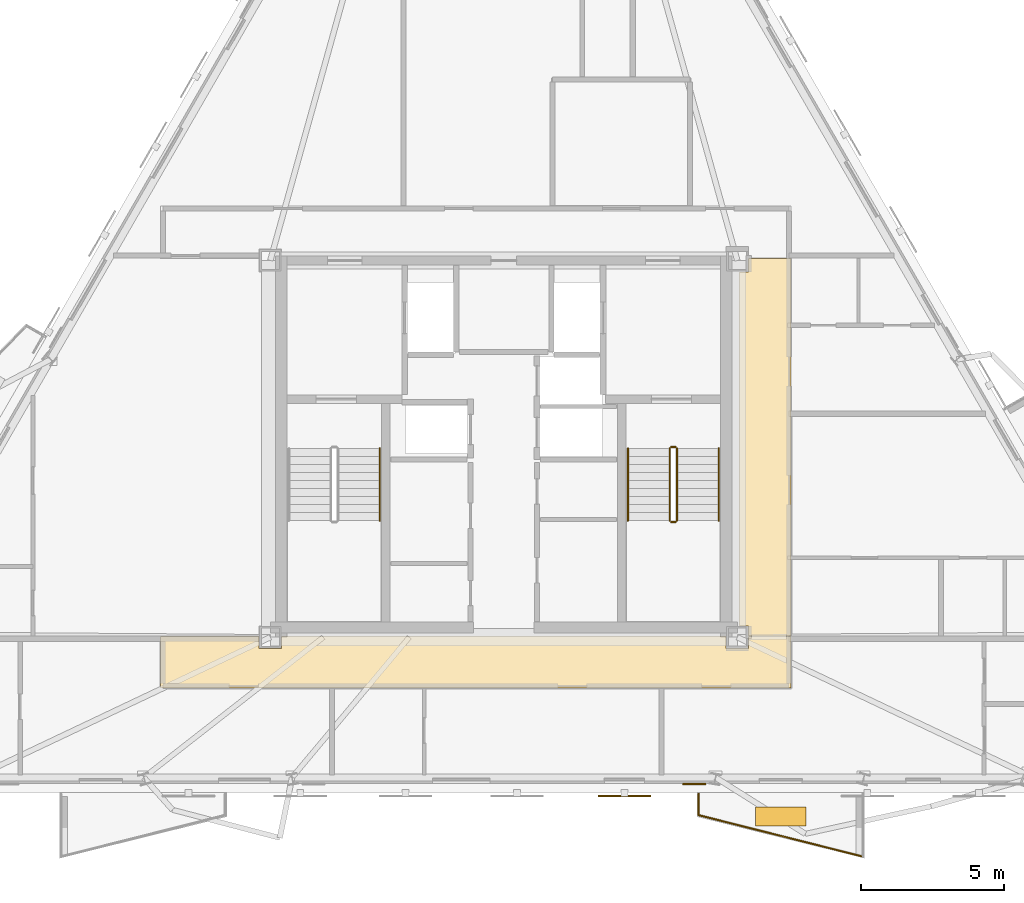
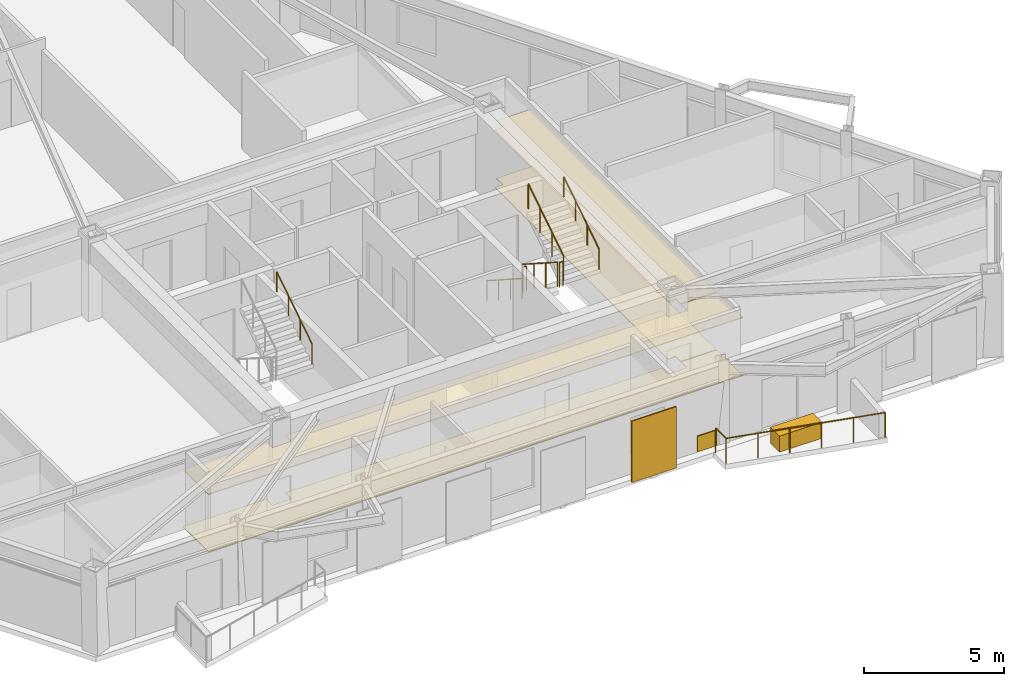
# One storey, part 8 of 9: 9 railings, 6 coverings, 1 shading device.
"""IFC4 building model written with IfcOpenShell, lengths in metres."""

from ifc_helpers import new_model, si_unit, direction, frame, origin, origin_2d, place, context, subcontext, project, spatial, polyline, rectangle, circle, outline, extrude, material, layer, layer_set, type_object, element, save


model = new_model("IFC4")

# Units and contexts
model_context = context("Model", 3, precision=1e-05, world=origin(), true_north=direction((0.0, 1.0)))
body_context = subcontext(model_context, "Body", "Model", "MODEL_VIEW")
ifc_project = project(units=[si_unit("LENGTHUNIT", "METRE"), si_unit("AREAUNIT", "SQUARE_METRE"), si_unit("VOLUMEUNIT", "CUBIC_METRE"), si_unit("PLANEANGLEUNIT", "RADIAN"), si_unit("MASSUNIT", "GRAM", prefix="KILO")], contexts=[model_context])

# Site, building, storey
site_placement = place(None, origin())
site = spatial("IfcSite", under=ifc_project, at=site_placement, CompositionType="ELEMENT")
building_placement = place(site_placement, origin())
building = spatial("IfcBuilding", under=site, at=building_placement, Name="Oramaril Tower", CompositionType="ELEMENT")
storey_placement = place(building_placement, frame((0.0, 0.0, 237.89990234375)))
storey = spatial("IfcBuildingStorey", under=building, at=storey_placement, Name="L63", CompositionType="ELEMENT", Elevation=237.89990234375)

# Coverings
ifc_material_1 = material(Name="Mineral Fibre Acoustic Ceiling")
ifc_layer_1 = layer(ifc_material_1, 0.02001953125)
ifc_layer_set_1 = layer_set([ifc_layer_1], Name="CVT-CEIL")
covering_type_1 = type_object("IfcCoveringType", Name="CVT-CEIL", PredefinedType="CEILING", material=ifc_layer_set_1)
covering_1_placement = place(storey_placement, frame((0.0, 0.0, 2.51220703125)))
element("IfcCovering", 1, at=covering_1_placement, inside=storey, type_object=covering_type_1, Name="L63 Acoustic Suspended Ceiling 1", PredefinedType="CEILING", context=body_context, shape_type="SweptSolid", body=[
    extrude(outline(polyline([(28.955078125, 10.60498046875), (29.7451171875, 10.60498046875), (29.7451171875, 11.030029296875), (45.2548828125, 11.030029296875), (45.2548828125, 10.60498046875), (46.044921875, 10.60498046875), (46.044921875, 11.030029296875), (47.530029296875, 11.030029296875), (47.530029296875, 9.219970703125), (25.52001953125, 9.219970703125), (25.52001953125, 11.030029296875), (28.955078125, 11.030029296875), (28.955078125, 10.60498046875)])), origin(), (0.0, 0.0, 1.0), 0.019775390625),
])
covering_2_placement = place(storey_placement, frame((0.0, 0.0, 2.51220703125)))
element("IfcCovering", 2, at=covering_2_placement, inside=storey, type_object=covering_type_1, Name="L63 Acoustic Suspended Ceiling 3", PredefinedType="CEILING", context=body_context, shape_type="SweptSolid", body=[
    extrude(outline(polyline([(47.530029296875, 11.050048828125), (46.044921875, 11.050048828125), (46.044921875, 11.39501953125), (45.719970703125, 11.39501953125), (45.719970703125, 23.7548828125), (46.044921875, 23.7548828125), (46.044921875, 24.219970703125), (47.530029296875, 24.219970703125), (47.530029296875, 11.050048828125)])), origin(), (0.0, 0.0, 1.0), 0.019775390625),
])
ifc_material_2 = material(Name="Warm Cream Limestone", Category="masonry")
ifc_layer_2 = layer(ifc_material_2, 0.050048828125)
ifc_layer_set_2 = layer_set([ifc_layer_2], Name="CVT-CLD")
covering_type_2 = type_object("IfcCoveringType", Name="CVT-CLD", PredefinedType="CLADDING", material=ifc_layer_set_2)
covering_3_placement = place(storey_placement, frame((44.14208984375, 5.874267578125, 0.0400390625), z_axis=(0.0, 0.0, 1.0), x_axis=(1.0, 0.0, 0.0)))
element("IfcCovering", 3, at=covering_3_placement, inside=storey, type_object=covering_type_2, Name="L63 Warm Cream Limestone Spandrel Cladding", PredefinedType="CLADDING", context=body_context, shape_type="SweptSolid", body=[
    extrude(rectangle(XDim=0.800048828125, YDim=0.050048828125, at=origin_2d()), origin(), (0.0, 0.0, 1.0), 0.679931640625),
])
covering_4_placement = place(storey_placement, frame((47.16552734375, 4.74560546875, 0.0), z_axis=(0.0, 0.0, 1.0), x_axis=(1.0, 0.0, 0.0)))
element("IfcCovering", 4, at=covering_4_placement, inside=storey, type_object=covering_type_2, Name="L63 Structural Tree Planter Box L63-BAL-S2", PredefinedType="CLADDING", context=body_context, shape_type="SweptSolid", body=[
    extrude(rectangle(XDim=1.75, YDim=0.64990234375, at=origin_2d()), origin(), (0.0, 0.0, 1.0), 0.699951171875),
])
ifc_material_3 = material(Name="Honed Quartzite Stone Flooring", Category="masonry")
ifc_layer_3 = layer(ifc_material_3, 0.02490234375)
ifc_layer_set_3 = layer_set([ifc_layer_3], Name="CVT-FLR")
covering_type_3 = type_object("IfcCoveringType", Name="CVT-FLR", PredefinedType="FLOORING", material=ifc_layer_set_3)
covering_5_placement = place(storey_placement, origin())
element("IfcCovering", 5, at=covering_5_placement, inside=storey, type_object=covering_type_3, Name="L63 Honed Stone Floor Finish 1", PredefinedType="FLOORING", context=body_context, shape_type="SweptSolid", body=[
    extrude(outline(polyline([(28.955078125, 10.60498046875), (29.7451171875, 10.60498046875), (29.7451171875, 11.030029296875), (45.2548828125, 11.030029296875), (45.2548828125, 10.60498046875), (46.044921875, 10.60498046875), (46.044921875, 11.030029296875), (47.530029296875, 11.030029296875), (47.530029296875, 9.219970703125), (25.52001953125, 9.219970703125), (25.52001953125, 11.030029296875), (28.955078125, 11.030029296875), (28.955078125, 10.60498046875)])), origin(), (0.0, 0.0, 1.0), 0.025146484375),
])
covering_6_placement = place(storey_placement, origin())
element("IfcCovering", 6, at=covering_6_placement, inside=storey, type_object=covering_type_3, Name="L63 Honed Stone Floor Finish 3", PredefinedType="FLOORING", context=body_context, shape_type="SweptSolid", body=[
    extrude(outline(polyline([(47.530029296875, 11.050048828125), (46.044921875, 11.050048828125), (46.044921875, 11.39501953125), (45.719970703125, 11.39501953125), (45.719970703125, 23.7548828125), (46.044921875, 23.7548828125), (46.044921875, 24.219970703125), (47.530029296875, 24.219970703125), (47.530029296875, 11.050048828125)])), origin(), (0.0, 0.0, 1.0), 0.025146484375),
])

# Railings
ifc_material_4 = material(Name="Stainless Steel 316L", Category="steel")
railing_type_1 = type_object("IfcRailingType", Name="RLT-GRD", PredefinedType="GUARDRAIL", material=ifc_material_4)
railing_1_placement = place(storey_placement, frame((50.030517578125, 3.34228515625, 0.0)))
element("IfcRailing", 7, at=railing_1_placement, inside=storey, type_object=railing_type_1, Name="L63 Balcony Guardrail L63-BAL-S2.2", PredefinedType="GUARDRAIL", context=body_context, shape_type="SweptSolid", body=[
    extrude(circle(Radius=0.02392578125, at=origin_2d()), frame((0.0, 0.0, 1.076171875), z_axis=(-0.969443611257, 0.245314256807, 0.0), x_axis=(-0.245314256807, -0.969443611257, 0.0)), (0.0, 0.0, 1.0), 5.91064453125),
    extrude(circle(Radius=0.02099609375, at=origin_2d()), origin(), (0.0, 0.0, 1.0), 1.052001953125),
    extrude(circle(Radius=0.02099609375, at=origin_2d()), frame((-1.14599609375, 0.2900390625, 0.0)), (0.0, 0.0, 1.0), 1.052001953125),
    extrude(circle(Radius=0.02099609375, at=origin_2d()), frame((-2.2919921875, 0.580078125, 0.0)), (0.0, 0.0, 1.0), 1.052001953125),
    extrude(circle(Radius=0.02099609375, at=origin_2d()), frame((-3.43798828125, 0.869873046875, 0.0)), (0.0, 0.0, 1.0), 1.052001953125),
    extrude(circle(Radius=0.02099609375, at=origin_2d()), frame((-4.583984375, 1.159912109375, 0.0)), (0.0, 0.0, 1.0), 1.052001953125),
    extrude(circle(Radius=0.02099609375, at=origin_2d()), frame((-5.72998046875, 1.449951171875, 0.0)), (0.0, 0.0, 1.0), 1.052001953125),
])
railing_2_placement = place(storey_placement, frame((44.300537109375, 4.792236328125, 0.0)))
element("IfcRailing", 8, at=railing_2_placement, inside=storey, type_object=railing_type_1, Name="L63 Balcony Guardrail L63-BAL-S2.3", PredefinedType="GUARDRAIL", context=body_context, shape_type="SweptSolid", body=[
    extrude(circle(Radius=0.02392578125, at=origin_2d()), frame((0.0, 0.0, 1.076171875), z_axis=(0.0, 1.0, 0.0), x_axis=(-1.0, 0.0, 0.0)), (0.0, 0.0, 1.0), 0.741943359375),
    extrude(circle(Radius=0.02099609375, at=origin_2d()), origin(), (0.0, 0.0, 1.0), 1.052001953125),
    extrude(circle(Radius=0.02099609375, at=origin_2d()), frame((0.0, 0.741943359375, 0.0)), (0.0, 0.0, 1.0), 1.052001953125),
])
railing_3_placement = place(storey_placement, frame((43.2900390625, 17.590087890625, 0.18017578125)))
element("IfcRailing", 9, at=railing_3_placement, inside=storey, type_object=railing_type_1, Name="L63 ST-2 stair guard 1", PredefinedType="GUARDRAIL", context=body_context, shape_type="SweptSolid", body=[
    extrude(circle(Radius=0.02392578125, at=origin_2d()), frame((0.0, 0.0, 1.076171875), z_axis=(0.0, -0.841199657755, 0.540724639528), x_axis=(1.0, 0.0, 0.0)), (0.0, 0.0, 1.0), 2.995849609375),
    extrude(circle(Radius=0.02099609375, at=origin_2d()), origin(), (0.0, 0.0, 1.0), 1.052001953125),
    extrude(circle(Radius=0.02099609375, at=origin_2d()), frame((0.0, -0.840087890625, 0.5400390625)), (0.0, 0.0, 1.0), 1.052001953125),
    extrude(circle(Radius=0.02099609375, at=origin_2d()), frame((0.0, -1.679931640625, 1.079833984375)), (0.0, 0.0, 1.0), 1.052001953125),
    extrude(circle(Radius=0.02099609375, at=origin_2d()), frame((0.0, -2.52001953125, 1.619873046875)), (0.0, 0.0, 1.0), 1.052001953125),
])
railing_4_placement = place(storey_placement, frame((43.340087890625, 15.02001953125, 1.800048828125)))
element("IfcRailing", 10, at=railing_4_placement, inside=storey, type_object=railing_type_1, Name="L63 ST-2 stair guard 2", PredefinedType="GUARDRAIL", context=body_context, shape_type="SweptSolid", body=[
    extrude(circle(Radius=0.02392578125, at=origin_2d()), frame((0.0, 0.0, 1.076171875), z_axis=(1.0, 0.0, 0.0), x_axis=(0.0, 1.0, 0.0)), (0.0, 0.0, 1.0), 0.14990234375),
    extrude(circle(Radius=0.02099609375, at=origin_2d()), origin(), (0.0, 0.0, 1.0), 1.052001953125),
    extrude(circle(Radius=0.02099609375, at=origin_2d()), frame((0.14990234375, 0.0, 0.0)), (0.0, 0.0, 1.0), 1.052001953125),
])
railing_5_placement = place(storey_placement, frame((43.5400390625, 15.070068359375, 1.97998046875)))
element("IfcRailing", 11, at=railing_5_placement, inside=storey, type_object=railing_type_1, Name="L63 ST-2 stair guard 3", PredefinedType="GUARDRAIL", context=body_context, shape_type="SweptSolid", body=[
    extrude(circle(Radius=0.02392578125, at=origin_2d()), frame((0.0, 0.0, 1.076171875), z_axis=(0.0, 0.841162588446, 0.540782303519), x_axis=(-1.0, 0.0, 0.0)), (0.0, 0.0, 1.0), 2.995849609375),
    extrude(circle(Radius=0.02099609375, at=origin_2d()), origin(), (0.0, 0.0, 1.0), 1.052001953125),
    extrude(circle(Radius=0.02099609375, at=origin_2d()), frame((0.0, 0.840087890625, 0.5400390625)), (0.0, 0.0, 1.0), 1.052001953125),
    extrude(circle(Radius=0.02099609375, at=origin_2d()), frame((0.0, 1.679931640625, 1.080078125)), (0.0, 0.0, 1.0), 1.052001953125),
    extrude(circle(Radius=0.02099609375, at=origin_2d()), frame((0.0, 2.52001953125, 1.6201171875)), (0.0, 0.0, 1.0), 1.052001953125),
])
railing_6_placement = place(storey_placement, frame((43.340087890625, 17.639892578125, 0.0)))
element("IfcRailing", 12, at=railing_6_placement, inside=storey, type_object=railing_type_1, Name="L63 ST-2 stair guard 4", PredefinedType="GUARDRAIL", context=body_context, shape_type="SweptSolid", body=[
    extrude(circle(Radius=0.02392578125, at=origin_2d()), frame((0.0, 0.0, 1.076171875), z_axis=(1.0, 0.0, 0.0), x_axis=(0.0, 1.0, 0.0)), (0.0, 0.0, 1.0), 0.14990234375),
    extrude(circle(Radius=0.02099609375, at=origin_2d()), origin(), (0.0, 0.0, 1.0), 1.052001953125),
    extrude(circle(Radius=0.02099609375, at=origin_2d()), frame((0.14990234375, 0.0, 0.0)), (0.0, 0.0, 1.0), 1.052001953125),
])
ifc_material_5 = material(Name="Stainless Steel 316L", Category="steel")
railing_type_2 = type_object("IfcRailingType", Name="RLT-HND", PredefinedType="HANDRAIL", material=ifc_material_5)
railing_7_placement = place(storey_placement, frame((33.169921875, 15.070068359375, 1.97998046875)))
element("IfcRailing", 13, at=railing_7_placement, inside=storey, type_object=railing_type_2, Name="L63 ST-1 stair handrail 2", PredefinedType="HANDRAIL", context=body_context, shape_type="SweptSolid", body=[
    extrude(circle(Radius=0.02392578125, at=origin_2d()), frame((0.0, 0.0, 0.8759765625), z_axis=(0.0, 0.841162588446, 0.540782303519), x_axis=(-1.0, 0.0, 0.0)), (0.0, 0.0, 1.0), 2.995849609375),
    extrude(circle(Radius=0.02099609375, at=origin_2d()), origin(), (0.0, 0.0, 1.0), 0.851806640625),
    extrude(circle(Radius=0.02099609375, at=origin_2d()), frame((0.0, 0.840087890625, 0.5400390625)), (0.0, 0.0, 1.0), 0.851806640625),
    extrude(circle(Radius=0.02099609375, at=origin_2d()), frame((0.0, 1.679931640625, 1.080078125)), (0.0, 0.0, 1.0), 0.851806640625),
    extrude(circle(Radius=0.02099609375, at=origin_2d()), frame((0.0, 2.52001953125, 1.6201171875)), (0.0, 0.0, 1.0), 0.851806640625),
])
railing_8_placement = place(storey_placement, frame((41.830078125, 17.590087890625, 0.18017578125)))
element("IfcRailing", 14, at=railing_8_placement, inside=storey, type_object=railing_type_2, Name="L63 ST-2 stair handrail 1", PredefinedType="HANDRAIL", context=body_context, shape_type="SweptSolid", body=[
    extrude(circle(Radius=0.02392578125, at=origin_2d()), frame((0.0, 0.0, 0.8759765625), z_axis=(0.0, -0.841199657755, 0.540724639528), x_axis=(1.0, 0.0, 0.0)), (0.0, 0.0, 1.0), 2.995849609375),
    extrude(circle(Radius=0.02099609375, at=origin_2d()), origin(), (0.0, 0.0, 1.0), 0.851806640625),
    extrude(circle(Radius=0.02099609375, at=origin_2d()), frame((0.0, -0.840087890625, 0.5400390625)), (0.0, 0.0, 1.0), 0.851806640625),
    extrude(circle(Radius=0.02099609375, at=origin_2d()), frame((0.0, -1.679931640625, 1.079833984375)), (0.0, 0.0, 1.0), 0.851806640625),
    extrude(circle(Radius=0.02099609375, at=origin_2d()), frame((0.0, -2.52001953125, 1.619873046875)), (0.0, 0.0, 1.0), 0.851806640625),
])
railing_9_placement = place(storey_placement, frame((45.0, 15.070068359375, 1.97998046875)))
element("IfcRailing", 15, at=railing_9_placement, inside=storey, type_object=railing_type_2, Name="L63 ST-2 stair handrail 2", PredefinedType="HANDRAIL", context=body_context, shape_type="SweptSolid", body=[
    extrude(circle(Radius=0.02392578125, at=origin_2d()), frame((0.0, 0.0, 0.8759765625), z_axis=(0.0, 0.841162588446, 0.540782303519), x_axis=(-1.0, 0.0, 0.0)), (0.0, 0.0, 1.0), 2.995849609375),
    extrude(circle(Radius=0.02099609375, at=origin_2d()), origin(), (0.0, 0.0, 1.0), 0.851806640625),
    extrude(circle(Radius=0.02099609375, at=origin_2d()), frame((0.0, 0.840087890625, 0.5400390625)), (0.0, 0.0, 1.0), 0.851806640625),
    extrude(circle(Radius=0.02099609375, at=origin_2d()), frame((0.0, 1.679931640625, 1.080078125)), (0.0, 0.0, 1.0), 0.851806640625),
    extrude(circle(Radius=0.02099609375, at=origin_2d()), frame((0.0, 2.52001953125, 1.6201171875)), (0.0, 0.0, 1.0), 0.851806640625),
])

# Shading device
shading_device_placement = place(storey_placement, frame((41.7060546875, 5.462158203125, -0.02001953125), z_axis=(0.0, 0.0, 1.0), x_axis=(1.0, 0.0, 0.0)))
element("IfcShadingDevice", 16, at=shading_device_placement, inside=storey, Name="L63 Perforated Ceramic Solar Screen", ObjectType="SCREEN", PredefinedType="USERDEFINED", context=body_context, shape_type="SweptSolid", body=[
    extrude(rectangle(XDim=1.8330078125, YDim=0.050048828125, at=origin_2d()), origin(), (0.0, 0.0, 1.0), 2.677001953125),
])

save(model, "model.ifc")
